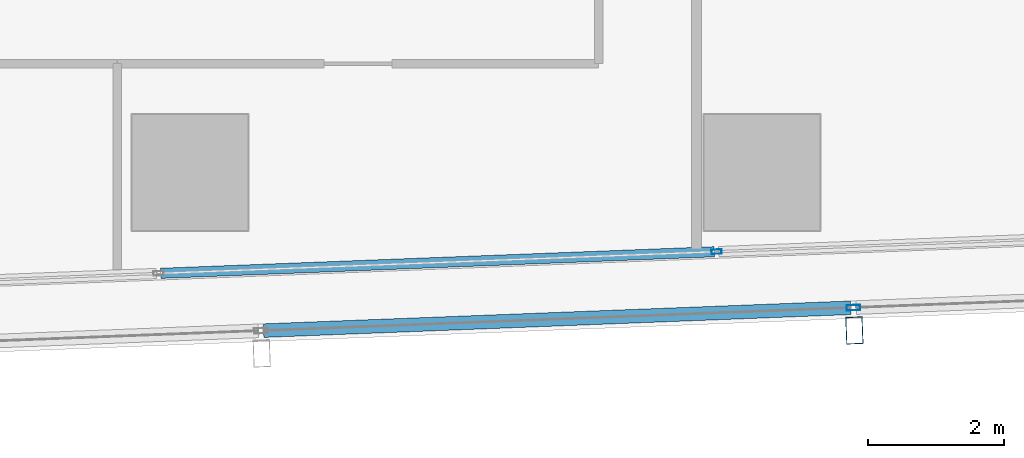
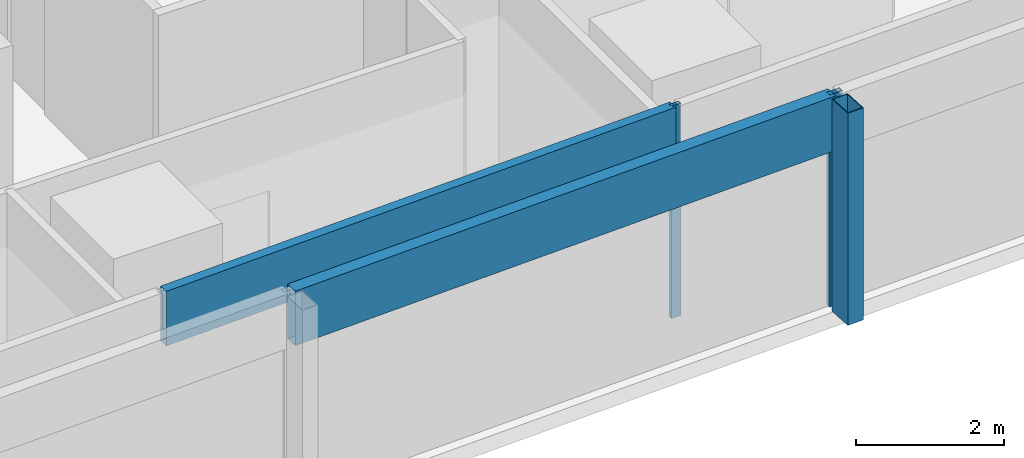
# One storey, part 11 of 40: 5 members, 2 elements without a shape of their own.
"""IFC4 building model written with IfcOpenShell, lengths in metres."""

from ifc_helpers import new_model, si_unit, direction, frame, origin, origin_2d, place, context, subcontext, project, spatial, hollow_rectangle, extrude, material, material_profile, profile_set, type_object, element, aggregate, save


model = new_model("IFC4")

# Units and contexts
model_context = context("Model", 3, precision=1e-05, world=origin(), true_north=direction((0.0, 1.0)))
body_context = subcontext(model_context, "Body", "Model", "MODEL_VIEW")
ifc_project = project(units=[si_unit("LENGTHUNIT", "METRE"), si_unit("AREAUNIT", "SQUARE_METRE"), si_unit("VOLUMEUNIT", "CUBIC_METRE"), si_unit("PLANEANGLEUNIT", "RADIAN"), si_unit("MASSUNIT", "GRAM", prefix="KILO")], contexts=[model_context])

# Site, building, storey
site_placement = place(None, origin())
site = spatial("IfcSite", under=ifc_project, at=site_placement, CompositionType="ELEMENT")
building_placement = place(site_placement, origin())
building = spatial("IfcBuilding", under=site, at=building_placement, Name="Rekha Terrace Tower", CompositionType="ELEMENT")
storey_placement = place(building_placement, frame((0.0, 0.0, 121.550048828125)))
storey = spatial("IfcBuildingStorey", under=building, at=storey_placement, Name="L30", CompositionType="ELEMENT", Elevation=121.550048828125)

# Curtain wall, member
ifc_material_1 = material(Name="Aluminium framing", Category="aluminium")
curtain_wall_type_1 = type_object("IfcCurtainWallType", Name="CW2 double skin outer glazing", PredefinedType="USERDEFINED", material=ifc_material_1)
curtain_wall_1_placement = place(storey_placement, origin())
curtain_wall_1 = element("IfcCurtainWall", 1, at=curtain_wall_1_placement, inside=storey, type_object=curtain_wall_type_1, Name="CW2 double skin outer glazing", ObjectType="DOUBLE SKIN OUTER GLAZING", PredefinedType="USERDEFINED")
ifc_material_2 = material(Name="Steel S355 with fluorocarbon finish", Category="steel")
ifc_material_profile_1 = material_profile(ifc_material_2, hollow_rectangle(XDim=0.25, YDim=0.39990234375, WallThickness=0.012451171875, at=origin_2d()), Name="RHS400x250x12.5")
ifc_profile_set_1 = profile_set([ifc_material_profile_1], Name="Steel S355 with fluorocarbon finish")
member_type_1 = type_object("IfcMemberType", Name="BL1 facade blade RHS 400 x 250", PredefinedType="USERDEFINED", material=ifc_profile_set_1)
member_1_placement = place(storey_placement, frame((60.1572265625, 14.480712890625, 0.0), z_axis=(0.0, 0.0, 1.0), x_axis=(0.999243494356, 0.038890088543, 0.0)))
member_1 = element("IfcMember", 2, at=member_1_placement, type_object=member_type_1, Name="Facade blade", ObjectType="FACADE BLADE", PredefinedType="USERDEFINED", context=body_context, shape_type="SweptSolid", body=[
    extrude(hollow_rectangle(XDim=0.25, YDim=0.39990234375, WallThickness=0.012451171875, at=origin_2d()), origin(), (0.0, 0.0, 1.0), 3.5),
])

# Curtain wall, members
curtain_wall_type_2 = type_object("IfcCurtainWallType", Name="CW1 double skin inner glazing", PredefinedType="USERDEFINED", material=ifc_material_1)
curtain_wall_2_placement = place(storey_placement, origin())
curtain_wall_2 = element("IfcCurtainWall", 3, at=curtain_wall_2_placement, inside=storey, type_object=curtain_wall_type_2, Name="CW1 double skin inner glazing", ObjectType="DOUBLE SKIN INNER GLAZING", PredefinedType="USERDEFINED")
ifc_material_3 = material(Name="Aluminium mullion section", Category="aluminium")
ifc_material_profile_2 = material_profile(ifc_material_3, hollow_rectangle(XDim=0.06494140625, YDim=0.14990234375, WallThickness=0.00390625, at=origin_2d()), Name="AL RHS 65x150")
ifc_profile_set_2 = profile_set([ifc_material_profile_2], Name="Aluminium mullion section")
member_type_2 = type_object("IfcMemberType", Name="CW1 mullion RHS 65 x 150", PredefinedType="MULLION", material=ifc_profile_set_2)
member_2_placement = place(storey_placement, frame((58.13330078125, 15.637939453125, 0.0), z_axis=(0.0, 0.0, 1.0), x_axis=(-0.038889971345, 0.999243498917, 0.0)))
member_2 = element("IfcMember", 4, at=member_2_placement, type_object=member_type_2, Name="CW1 mullion 5", PredefinedType="MULLION", context=body_context, shape_type="SweptSolid", body=[
    extrude(hollow_rectangle(XDim=0.06494140625, YDim=0.14990234375, WallThickness=0.00390625, at=origin_2d()), origin(), (0.0, 0.0, 1.0), 3.5),
])
ifc_material_4 = material(Name="Insulated aluminium spandrel box", Category="aluminium")
ifc_material_profile_3 = material_profile(ifc_material_4, hollow_rectangle(XDim=0.14990234375, YDim=0.89990234375, WallThickness=0.0029296875, at=origin_2d()), Name="AL SPANDREL BOX 150x900")
ifc_profile_set_3 = profile_set([ifc_material_profile_3], Name="Insulated aluminium spandrel box")
member_type_3 = type_object("IfcMemberType", Name="CW1 spandrel transom 150 x 900", PredefinedType="USERDEFINED", material=ifc_profile_set_3)
member_3_placement = place(storey_placement, frame((49.96923828125, 15.320068359375, 3.050048828125), z_axis=(0.999242669674, 0.038911272182, 0.0), x_axis=(-0.038911272182, 0.999242669674, 0.0)))
member_3 = element("IfcMember", 5, at=member_3_placement, type_object=member_type_3, Name="CW1 spandrel transom 4", ObjectType="TRANSOM", PredefinedType="USERDEFINED", context=body_context, shape_type="SweptSolid", body=[
    extrude(hollow_rectangle(XDim=0.14990234375, YDim=0.89990234375, WallThickness=0.0029296875, at=origin_2d()), origin(), (0.0, 0.0, 1.0), 8.1376953125),
])
aggregate(curtain_wall_2, [member_2, member_3])

# Member
ifc_material_profile_4 = material_profile(ifc_material_3, hollow_rectangle(XDim=0.080078125, YDim=0.199951171875, WallThickness=0.00390625, at=origin_2d()), Name="AL RHS 80x200")
ifc_profile_set_4 = profile_set([ifc_material_profile_4], Name="Aluminium mullion section")
member_type_4 = type_object("IfcMemberType", Name="CW2 mullion RHS 80 x 200", PredefinedType="MULLION", material=ifc_profile_set_4)
member_4_placement = place(storey_placement, frame((60.14404296875, 14.8154296875, 0.0), z_axis=(0.0, 0.0, 1.0), x_axis=(-0.038889971345, 0.999243498917, 0.0)))
member_4 = element("IfcMember", 6, at=member_4_placement, type_object=member_type_4, Name="CW2 mullion 5", PredefinedType="MULLION", context=body_context, shape_type="SweptSolid", body=[
    extrude(hollow_rectangle(XDim=0.080078125, YDim=0.199951171875, WallThickness=0.00390625, at=origin_2d()), origin(), (0.0, 0.0, 1.0), 3.5),
])

ifc_material_profile_5 = material_profile(ifc_material_4, hollow_rectangle(XDim=0.199951171875, YDim=0.89990234375, WallThickness=0.0029296875, at=origin_2d()), Name="AL SPANDREL BOX 200x900")
ifc_profile_set_5 = profile_set([ifc_material_profile_5], Name="Insulated aluminium spandrel box")
member_type_5 = type_object("IfcMemberType", Name="CW2 spandrel transom 200 x 900", PredefinedType="USERDEFINED", material=ifc_profile_set_5)
member_5_placement = place(storey_placement, frame((51.47900390625, 14.478271484375, 3.050048828125), z_axis=(0.999243481303, 0.038890423923, 0.0), x_axis=(-0.038890423923, 0.999243481303, 0.0)))
member_5 = element("IfcMember", 7, at=member_5_placement, type_object=member_type_5, Name="CW2 spandrel transom 4", ObjectType="TRANSOM", PredefinedType="USERDEFINED", context=body_context, shape_type="SweptSolid", body=[
    extrude(hollow_rectangle(XDim=0.199951171875, YDim=0.89990234375, WallThickness=0.0029296875, at=origin_2d()), origin(), (0.0, 0.0, 1.0), 8.6318359375),
])

aggregate(curtain_wall_1, [member_4, member_5, member_1])

save(model, "model.ifc")
